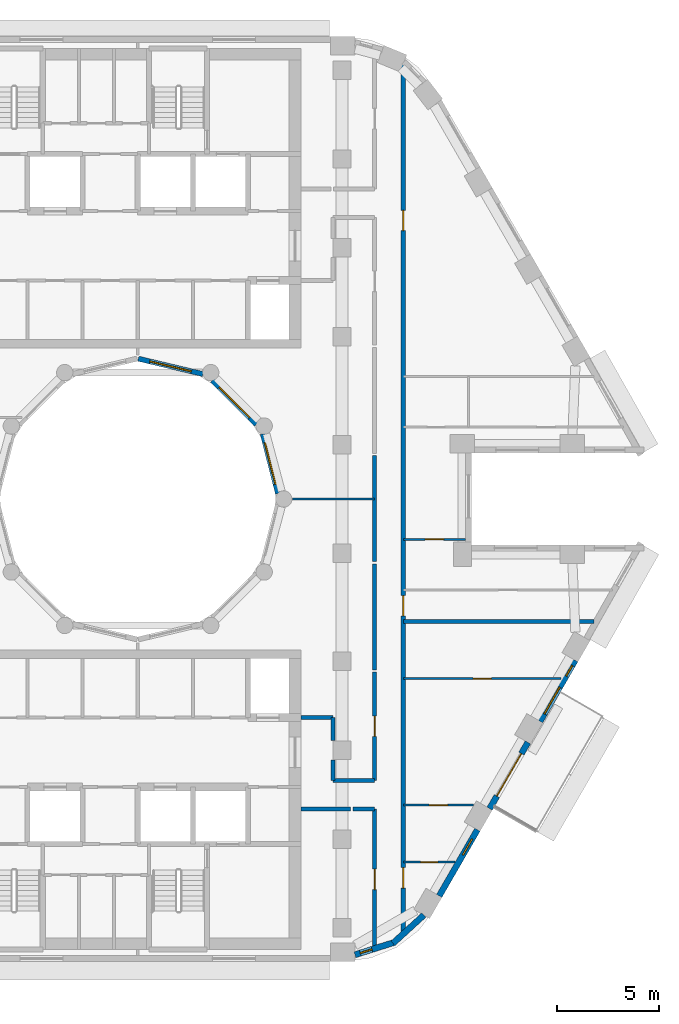
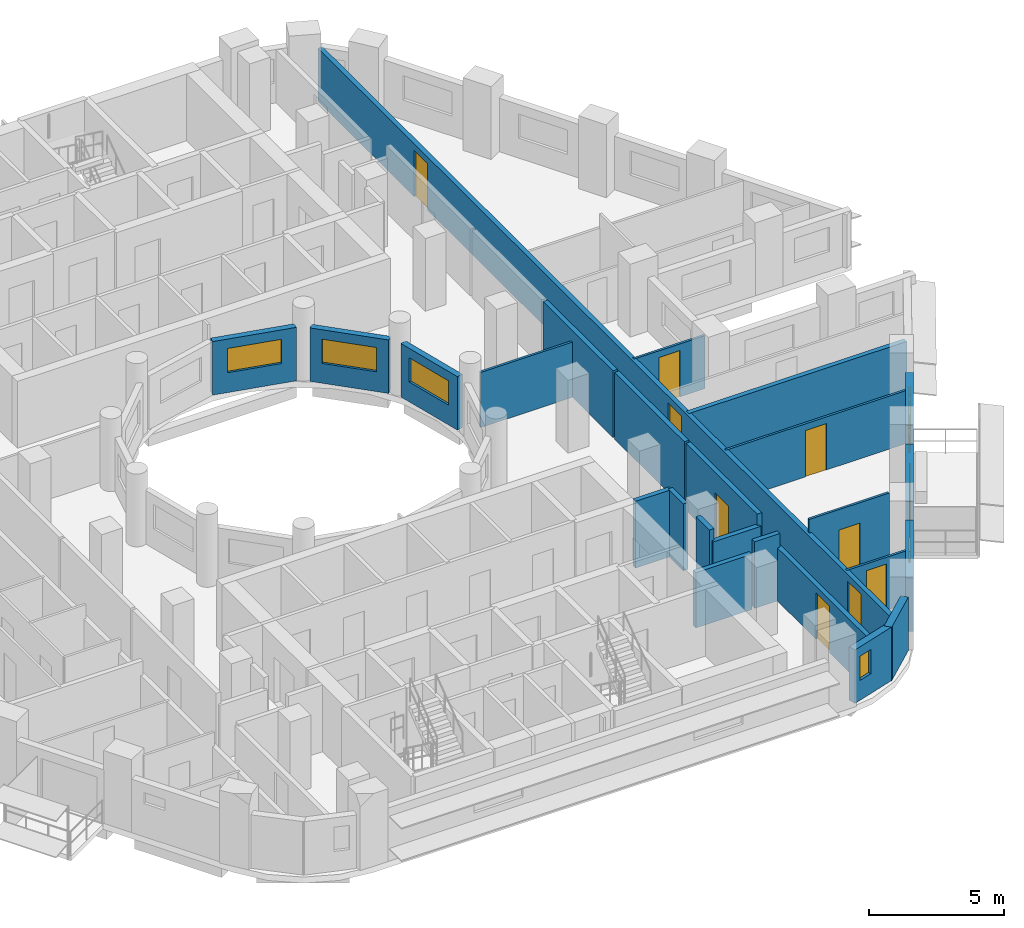
# One storey, part 6 of 17: 25 walls, 10 doors, 7 windows, 17 openings.
"""IFC4 building model written with IfcOpenShell, lengths in metres."""

import ifcopenshell
import ifcopenshell.guid

model = None  # the IFC model being written
_history = None  # IfcOwnerHistory: only IFC2X3 demands one
_inside = {}  # id of a spatial element -> (the spatial element, [elements in it])
_under = {}  # id of a project, library or spatial element -> (it, [spatial elements below it])
_declared = {}  # id of a project -> (the project, [libraries it declares])
_typed = {}  # id of a type object -> (the type object, [elements of that type])
_made_of = {}  # id of a material, layer set ... -> (it, [elements and type objects made of it])


def new_model(schema):
    """Start an empty IFC model of exactly this schema.

    Asked for "IFC4X3", IfcOpenShell would pick the latest addendum, in which some entities
    have other attributes; the version numbers below select the first issue.
    IFC2X3 requires an IfcOwnerHistory on every rooted entity: one is made here for all.
    """
    global model, _history
    if schema == "IFC4X3":
        model = ifcopenshell.file(schema_version=(4, 3, 0, 0))
    else:
        model = ifcopenshell.file(schema=schema)
    _inside.clear()
    _under.clear()
    _declared.clear()
    _typed.clear()
    _made_of.clear()
    _history = None
    if model.schema == "IFC2X3":
        org = make("IfcOrganization", Name="unknown")
        user = make(
            "IfcPersonAndOrganization",
            ThePerson=make("IfcPerson", FamilyName="unknown"),
            TheOrganization=org,
        )
        app = make(
            "IfcApplication",
            ApplicationDeveloper=org,
            Version="unknown",
            ApplicationFullName="unknown",
            ApplicationIdentifier="unknown",
        )
        _history = make(
            "IfcOwnerHistory",
            OwningUser=user,
            OwningApplication=app,
            ChangeAction="ADDED",
            CreationDate=0,
        )
    return model


def make(cls, **values):
    """One entity of the class cls with the attributes given. An attribute that is None is left unset."""
    return model.create_entity(
        cls, **{name: value for name, value in values.items() if value is not None}
    )


def rooted(cls, **values):
    """An entity with a GlobalId (a new one), such as an element, a storey or a relation."""
    return make(cls, GlobalId=ifcopenshell.guid.new(), OwnerHistory=_history, **values)


def si_unit(unit_type, name, prefix=None):
    """IfcSIUnit, for example si_unit("LENGTHUNIT", "METRE", prefix="MILLI")."""
    return make("IfcSIUnit", UnitType=unit_type, Prefix=prefix, Name=name)


def assignment(units):
    """IfcUnitAssignment: the units of a project."""
    return None if units is None else make("IfcUnitAssignment", Units=units)


def point(xyz):
    """IfcCartesianPoint."""
    return None if xyz is None else make("IfcCartesianPoint", Coordinates=xyz)


def direction(xyz):
    """IfcDirection."""
    return None if xyz is None else make("IfcDirection", DirectionRatios=xyz)


def frame(location, z_axis=None, x_axis=None):
    """IfcAxis2Placement3D, a coordinate frame: its origin and axes. An axis left out is left unset."""
    return make(
        "IfcAxis2Placement3D",
        Location=point(location),
        Axis=direction(z_axis),
        RefDirection=direction(x_axis),
    )


def frame_2d(location, x_axis=None):
    """IfcAxis2Placement2D, a coordinate frame in the plane: its origin and x axis."""
    return make(
        "IfcAxis2Placement2D", Location=point(location), RefDirection=direction(x_axis)
    )


def origin():
    """The frame at (0, 0, 0) with its axes left unset."""
    return frame((0.0, 0.0, 0.0))


def place(relative_to, where):
    """IfcLocalPlacement: puts the frame where relative to a parent placement (None: the world)."""
    return make(
        "IfcLocalPlacement", PlacementRelTo=relative_to, RelativePlacement=where
    )


def context(
    kind, dimensions, precision=None, world=None, true_north=None, identifier=None
):
    """IfcGeometricRepresentationContext, for example the 3D "Model" context."""
    return make(
        "IfcGeometricRepresentationContext",
        ContextIdentifier=identifier,
        ContextType=kind,
        CoordinateSpaceDimension=dimensions,
        Precision=precision,
        WorldCoordinateSystem=world,
        TrueNorth=true_north,
    )


def subcontext(parent, identifier, kind, view, scale=None):
    """IfcGeometricRepresentationSubContext, for example "Body" below "Model"."""
    return make(
        "IfcGeometricRepresentationSubContext",
        ContextIdentifier=identifier,
        ContextType=kind,
        ParentContext=parent,
        TargetScale=scale,
        TargetView=view,
    )


def project(units=None, contexts=None):
    """IfcProject with its units and contexts."""
    return rooted(
        "IfcProject",
        Name="project",
        RepresentationContexts=contexts,
        UnitsInContext=assignment(units),
    )


def spatial(cls, under=None, at=None, **own):
    """A site, building, storey or space (cls), placed at a placement, below another one or the project."""
    s = rooted(cls, ObjectPlacement=at, **own)
    if under is not None:
        _under.setdefault(under.id(), (under, []))[1].append(s)
    return s


def profile(cls, at=None, kind="AREA", **sizes):
    """A parametric profile (cls). Its sizes go by their IFC names, for example OverallWidth=200.0."""
    return make(cls, ProfileType=kind, Position=at, **sizes)


def rectangle(**sizes):
    """IfcRectangleProfileDef."""
    return profile("IfcRectangleProfileDef", **sizes)


def extrude(swept, where, along, depth):
    """IfcExtrudedAreaSolid: the profile swept, set in the frame where, extruded along a direction by depth."""
    return make(
        "IfcExtrudedAreaSolid",
        SweptArea=swept,
        Position=where,
        ExtrudedDirection=direction(along),
        Depth=depth,
    )


def shape(context_of_items, identifier, shape_type, items):
    """IfcShapeRepresentation: the items that make up one representation, for example the "Body"."""
    return make(
        "IfcShapeRepresentation",
        ContextOfItems=context_of_items,
        RepresentationIdentifier=identifier,
        RepresentationType=shape_type,
        Items=items,
    )


def material(Name=None, Category=None):
    """IfcMaterial."""
    return make("IfcMaterial", Name=Name, Category=Category)


def layer(
    of_material, thickness, ventilated=None, Name=None, Category=None, Priority=None
):
    """IfcMaterialLayer: one layer of a wall or slab, of a material (None: an air gap)."""
    return make(
        "IfcMaterialLayer",
        Material=of_material,
        LayerThickness=thickness,
        IsVentilated=ventilated,
        Name=Name,
        Category=Category,
        Priority=Priority,
    )


def layer_set(layers, Name=None):
    """IfcMaterialLayerSet."""
    return make("IfcMaterialLayerSet", MaterialLayers=layers, LayerSetName=Name)


def made_of(thing, what):
    """Note that an element or type object is made of a material, layer set ...; save() writes the relation."""
    if what is not None:
        _made_of.setdefault(what.id(), (what, []))[1].append(thing)
    return thing


def type_object(cls, material=None, **own):
    """A type object (cls), such as IfcWallType, which elements share."""
    return made_of(rooted(cls, **own), material)


def element(
    cls,
    number,
    at=None,
    inside=None,
    cuts=None,
    type_object=None,
    material=None,
    context=None,
    identifier="Body",
    shape_type=None,
    held_by="IfcProductDefinitionShape",
    body=None,
    shapes=None,
    **own,
):
    """One element of the class cls, such as IfcWall. Its Tag is "e" and its number.

    at: its placement. inside: the storey or other place that contains it. cuts: it is an
    opening in that element (IfcRelVoidsElement). A single representation is given by context,
    identifier, shape_type and body (its items); several are given by shapes. held_by: the class
    of the entity that holds the representations. save() writes the other relations.
    """
    e = rooted(cls, Tag="e%d" % number, ObjectPlacement=at, **own)
    if body is not None:
        shapes = [shape(context, identifier, shape_type, body)]
    if shapes is not None:
        e.Representation = make(held_by, Representations=shapes)
    if inside is not None:
        _inside.setdefault(inside.id(), (inside, []))[1].append(e)
    if cuts is not None:
        rooted(
            "IfcRelVoidsElement", RelatingBuildingElement=cuts, RelatedOpeningElement=e
        )
    if type_object is not None:
        _typed.setdefault(type_object.id(), (type_object, []))[1].append(e)
    return made_of(e, material)


def fill(opening, filler):
    """IfcRelFillsElement: the door or window that sits in an opening."""
    return rooted(
        "IfcRelFillsElement",
        RelatingOpeningElement=opening,
        RelatedBuildingElement=filler,
    )


def aggregate(whole, parts):
    """IfcRelAggregates: a whole, such as a stair, and the parts it consists of."""
    return rooted("IfcRelAggregates", RelatingObject=whole, RelatedObjects=parts)


def save(model, path):
    """Write the relations noted so far, then the file.

    IfcRelAggregates (storeys below a building ...), IfcRelContainedInSpatialStructure (elements
    in a storey), IfcRelDefinesByType, IfcRelAssociatesMaterial and IfcRelDeclares: one each for
    every whole, place, type object, material and project.
    """
    for whole, parts in _under.values():
        aggregate(whole, parts)
    for where, things in _inside.values():
        rooted(
            "IfcRelContainedInSpatialStructure",
            RelatedElements=things,
            RelatingStructure=where,
        )
    for kind, things in _typed.values():
        rooted("IfcRelDefinesByType", RelatedObjects=things, RelatingType=kind)
    for what, things in _made_of.values():
        rooted("IfcRelAssociatesMaterial", RelatedObjects=things, RelatingMaterial=what)
    for by, libraries in _declared.values():
        rooted("IfcRelDeclares", RelatingContext=by, RelatedDefinitions=libraries)
    model.write(path)


model = new_model("IFC4")

# Units and contexts
model_context = context("Model", 3, precision=1e-05, world=origin(), true_north=direction((0.0, 1.0)))
body_context = subcontext(model_context, "Body", "Model", "MODEL_VIEW")
ifc_project = project(units=[si_unit("LENGTHUNIT", "METRE"), si_unit("AREAUNIT", "SQUARE_METRE"), si_unit("VOLUMEUNIT", "CUBIC_METRE"), si_unit("PLANEANGLEUNIT", "RADIAN"), si_unit("MASSUNIT", "GRAM", prefix="KILO")], contexts=[model_context])

# Site, building, storey
site_placement = place(None, origin())
site = spatial("IfcSite", under=ifc_project, at=site_placement, CompositionType="ELEMENT")
building_placement = place(site_placement, origin())
building = spatial("IfcBuilding", under=site, at=building_placement, Name="Nakaniwa Court", CompositionType="ELEMENT")
storey_placement = place(building_placement, frame((0.0, 0.0, 203.10009765625)))
storey = spatial("IfcBuildingStorey", under=building, at=storey_placement, Name="L53", CompositionType="ELEMENT", Elevation=203.10009765625)

# Wall, opening, door
ifc_material_1 = material(Name="Acoustic double stud partition")
ifc_layer_1 = layer(ifc_material_1, 0.199951171875)
ifc_layer_set_1 = layer_set([ifc_layer_1], Name="Acoustic double stud partition")
wall_type_1 = type_object("IfcWallType", Name="Acoustic double stud partition 200", PredefinedType="PARTITIONING", material=ifc_layer_set_1)
wall_1_placement = place(storey_placement, frame((91.60009765625, 57.92626953125, 0.0), z_axis=(0.0, 0.0, 1.0), x_axis=(0.0, 1.0, 0.0)))
wall_1 = element("IfcWall", 1, at=wall_1_placement, inside=storey, type_object=wall_type_1, Name="Partition PW-073", PredefinedType="PARTITIONING", context=body_context, shape_type="SweptSolid", body=[
    extrude(rectangle(XDim=6.898681640625, YDim=0.199951171875, at=frame_2d((3.44921875, 0.0))), origin(), (0.0, 0.0, 1.0), 2.40478515625),
])
opening_1_placement = place(wall_1_placement, frame((2.948974609375, 0.0, 0.0)))
opening_1 = element("IfcOpeningElement", 2, at=opening_1_placement, cuts=wall_1, Name="Opening D-02-01", PredefinedType="OPENING", context=body_context, shape_type="SweptSolid", body=[
    extrude(rectangle(XDim=1.0, YDim=2.10009765625, at=frame_2d((0.5, 1.050048828125))), frame((0.0, 0.10986328125, 0.0), z_axis=(0.0, -1.0, 0.0), x_axis=(1.0, 0.0, 0.0)), (0.0, 0.0, 1.0), 0.219970703125),
])
ifc_material_2 = material(Name="Solid core timber door set, black veneer", Category="wood")
door_type_1 = type_object("IfcDoorType", Name="Internal door 1000", OperationType="NOTDEFINED", PredefinedType="DOOR", material=ifc_material_2)
door_1_placement = place(opening_1_placement, origin())
door_1 = element("IfcDoor", 3, at=door_1_placement, inside=storey, type_object=door_type_1, Name="Door D-02-01 L53-029", OperationType="SINGLE_SWING_RIGHT", OverallHeight=2.10009765625, OverallWidth=1.0, PredefinedType="DOOR", context=body_context, shape_type="SweptSolid", body=[
    extrude(rectangle(XDim=1.0, YDim=2.10009765625, at=frame_2d((0.5, 1.050048828125))), frame((0.0, 0.02490234375, 0.0), z_axis=(0.0, -1.0, 0.0), x_axis=(1.0, 0.0, 0.0)), (0.0, 0.0, 1.0), 0.050048828125),
])
fill(opening_1, door_1)

wall_2_placement = place(storey_placement, frame((91.60009765625, 66.22509765625, 0.0), z_axis=(0.0, 0.0, 1.0), x_axis=(0.0, 1.0, 0.0)))
wall_2 = element("IfcWall", 4, at=wall_2_placement, inside=storey, type_object=wall_type_1, Name="Partition PW-074", PredefinedType="PARTITIONING", context=body_context, shape_type="SweptSolid", body=[
    extrude(rectangle(XDim=5.297607421875, YDim=0.199951171875, at=frame_2d((2.64892578125, 0.0))), origin(), (0.0, 0.0, 1.0), 3.02490234375),
])
opening_2_placement = place(wall_2_placement, frame((2.14794921875, 0.0, 0.0)))
opening_2 = element("IfcOpeningElement", 5, at=opening_2_placement, cuts=wall_2, Name="Opening D-02-02", PredefinedType="OPENING", context=body_context, shape_type="SweptSolid", body=[
    extrude(rectangle(XDim=1.0, YDim=2.10009765625, at=frame_2d((0.5, 1.050048828125))), frame((0.0, 0.10986328125, 0.0), z_axis=(0.0, -1.0, 0.0), x_axis=(1.0, 0.0, 0.0)), (0.0, 0.0, 1.0), 0.219970703125),
])
door_2_placement = place(opening_2_placement, origin())
door_2 = element("IfcDoor", 6, at=door_2_placement, inside=storey, type_object=door_type_1, Name="Door D-02-02 L53-034", OperationType="SINGLE_SWING_LEFT", OverallHeight=2.10009765625, OverallWidth=1.0, PredefinedType="DOOR", context=body_context, shape_type="SweptSolid", body=[
    extrude(rectangle(XDim=1.0, YDim=2.10009765625, at=frame_2d((0.5, 1.050048828125))), frame((0.0, 0.02490234375, 0.0), z_axis=(0.0, -1.0, 0.0), x_axis=(1.0, 0.0, 0.0)), (0.0, 0.0, 1.0), 0.050048828125),
])
fill(opening_2, door_2)

# Walls
for number, where, z_axis, x_axis, name in (
    (7, (91.60009765625, 71.63720703125, 0.0), (0.0, 0.0, 1.0), (0.0, 1.0, 0.0), "Partition PW-075"),
    (8, (91.60009765625, 76.937255859375, 0.0), (0.0, 0.0, 1.0), (0.0, 1.0, 0.0), "Partition PW-076"),
):
    element("IfcWall", number, at=place(storey_placement, frame(where, z_axis=z_axis, x_axis=x_axis)), inside=storey, type_object=wall_type_1, Name=name, PredefinedType="PARTITIONING", context=body_context, shape_type="SweptSolid", body=[
        extrude(rectangle(XDim=5.185546875, YDim=0.199951171875, at=frame_2d((2.5927734375, 0.0))), origin(), (0.0, 0.0, 1.0), 3.02490234375),
    ])
wall_3_placement = place(storey_placement, frame((88.0, 64.824951171875, 0.0), z_axis=(0.0, 0.0, 1.0), x_axis=(1.0, 0.0, 0.0)))
element("IfcWall", 9, at=wall_3_placement, inside=storey, type_object=wall_type_1, Name="Partition PW-082", PredefinedType="PARTITIONING", context=body_context, shape_type="SweptSolid", body=[
    extrude(rectangle(XDim=2.412841796875, YDim=0.199951171875, at=frame_2d((1.20654296875, 0.0))), origin(), (0.0, 0.0, 1.0), 2.5048828125),
])
wall_4_placement = place(storey_placement, frame((90.527099609375, 64.824951171875, 0.0), z_axis=(0.0, 0.0, 1.0), x_axis=(1.0, 0.0, 0.0)))
element("IfcWall", 10, at=wall_4_placement, inside=storey, type_object=wall_type_1, Name="Partition PW-083", PredefinedType="PARTITIONING", context=body_context, shape_type="SweptSolid", body=[
    extrude(rectangle(XDim=1.072998046875, YDim=0.199951171875, at=frame_2d((0.53662109375, 0.0))), origin(), (0.0, 0.0, 1.0), 3.02490234375),
])

# Wall, openings, doors
wall_5_placement = place(storey_placement, frame((93.0, 101.28076171875, 0.0), z_axis=(0.0, 0.0, 1.0), x_axis=(0.0, -1.0, 0.0)))
wall_5 = element("IfcWall", 11, at=wall_5_placement, inside=storey, type_object=wall_type_1, Name="Partition PW-084", PredefinedType="PARTITIONING", context=body_context, shape_type="SweptSolid", body=[
    extrude(rectangle(XDim=42.6064453125, YDim=0.199951171875, at=frame_2d((21.30322265625, 0.0))), origin(), (0.0, 0.0, 1.0), 2.40478515625),
])
opening_3_placement = place(wall_5_placement, frame((39.330078125, 0.0, 0.0)))
opening_3 = element("IfcOpeningElement", 12, at=opening_3_placement, cuts=wall_5, Name="Opening D-01-01", PredefinedType="OPENING", context=body_context, shape_type="SweptSolid", body=[
    extrude(rectangle(XDim=1.0, YDim=2.10009765625, at=frame_2d((0.5, 1.050048828125))), frame((0.0, 0.10986328125, 0.0), z_axis=(0.0, -1.0, 0.0), x_axis=(1.0, 0.0, 0.0)), (0.0, 0.0, 1.0), 0.219970703125),
])
opening_4_placement = place(wall_5_placement, frame((26.0048828125, 0.0, 0.0)))
opening_4 = element("IfcOpeningElement", 13, at=opening_4_placement, cuts=wall_5, Name="Opening D-01-02", PredefinedType="OPENING", context=body_context, shape_type="SweptSolid", body=[
    extrude(rectangle(XDim=1.0, YDim=2.10009765625, at=frame_2d((0.5, 1.050048828125))), frame((0.0, 0.10986328125, 0.0), z_axis=(0.0, -1.0, 0.0), x_axis=(1.0, 0.0, 0.0)), (0.0, 0.0, 1.0), 0.219970703125),
])
opening_5_placement = place(wall_5_placement, frame((7.14306640625, 0.0, 0.0)))
opening_5 = element("IfcOpeningElement", 14, at=opening_5_placement, cuts=wall_5, Name="Opening D-02-03", PredefinedType="OPENING", context=body_context, shape_type="SweptSolid", body=[
    extrude(rectangle(XDim=1.0, YDim=2.10009765625, at=frame_2d((0.5, 1.050048828125))), frame((0.0, 0.10986328125, 0.0), z_axis=(0.0, -1.0, 0.0), x_axis=(1.0, 0.0, 0.0)), (0.0, 0.0, 1.0), 0.219970703125),
])
door_type_2 = type_object("IfcDoorType", Name="Flat entrance door 1000", OperationType="NOTDEFINED", PredefinedType="DOOR", material=ifc_material_2)
door_3_placement = place(opening_3_placement, origin())
door_3 = element("IfcDoor", 15, at=door_3_placement, inside=storey, type_object=door_type_2, Name="Door D-01-01 L53-030", OperationType="SINGLE_SWING_LEFT", OverallHeight=2.10009765625, OverallWidth=1.0, PredefinedType="DOOR", context=body_context, shape_type="SweptSolid", body=[
    extrude(rectangle(XDim=1.0, YDim=2.10009765625, at=frame_2d((0.5, 1.050048828125))), frame((0.0, 0.02490234375, 0.0), z_axis=(0.0, -1.0, 0.0), x_axis=(1.0, 0.0, 0.0)), (0.0, 0.0, 1.0), 0.050048828125),
])
fill(opening_3, door_3)
door_4_placement = place(opening_4_placement, origin())
door_4 = element("IfcDoor", 16, at=door_4_placement, inside=storey, type_object=door_type_2, Name="Door D-01-02 L53-035", OperationType="SINGLE_SWING_RIGHT", OverallHeight=2.10009765625, OverallWidth=1.0, PredefinedType="DOOR", context=body_context, shape_type="SweptSolid", body=[
    extrude(rectangle(XDim=1.0, YDim=2.10009765625, at=frame_2d((0.5, 1.050048828125))), frame((0.0, 0.02490234375, 0.0), z_axis=(0.0, -1.0, 0.0), x_axis=(1.0, 0.0, 0.0)), (0.0, 0.0, 1.0), 0.050048828125),
])
fill(opening_4, door_4)
door_5_placement = place(opening_5_placement, origin())
door_5 = element("IfcDoor", 17, at=door_5_placement, inside=storey, type_object=door_type_1, Name="Door D-02-03 L53-040", OperationType="SINGLE_SWING_LEFT", OverallHeight=2.10009765625, OverallWidth=1.0, PredefinedType="DOOR", context=body_context, shape_type="SweptSolid", body=[
    extrude(rectangle(XDim=1.0, YDim=2.10009765625, at=frame_2d((0.5, 1.050048828125))), frame((0.0, 0.02490234375, 0.0), z_axis=(0.0, -1.0, 0.0), x_axis=(1.0, 0.0, 0.0)), (0.0, 0.0, 1.0), 0.050048828125),
])
fill(opening_5, door_5)

# Walls
wall_6_placement = place(storey_placement, frame((88.0, 69.300048828125, 0.0), z_axis=(0.0, 0.0, 1.0), x_axis=(1.0, 0.0, 0.0)))
element("IfcWall", 18, at=wall_6_placement, inside=storey, type_object=wall_type_1, Name="Partition PW-086", PredefinedType="PARTITIONING", context=body_context, shape_type="SweptSolid", body=[
    extrude(rectangle(XDim=1.550048828125, YDim=0.199951171875, at=frame_2d((0.77490234375, 0.0))), origin(), (0.0, 0.0, 1.0), 3.02490234375),
])
wall_7_placement = place(storey_placement, frame((89.550048828125, 66.22509765625, 0.0), z_axis=(0.0, 0.0, 1.0), x_axis=(0.0, 1.0, 0.0)))
element("IfcWall", 19, at=wall_7_placement, inside=storey, type_object=wall_type_1, Name="Partition PW-087", PredefinedType="PARTITIONING", context=body_context, shape_type="SweptSolid", body=[
    extrude(rectangle(XDim=1.0078125, YDim=0.199951171875, at=frame_2d((0.50390625, 0.0))), origin(), (0.0, 0.0, 1.0), 3.02490234375),
])
wall_8_placement = place(storey_placement, frame((89.550048828125, 68.167236328125, 0.0), z_axis=(0.0, 0.0, 1.0), x_axis=(0.0, 1.0, 0.0)))
element("IfcWall", 20, at=wall_8_placement, inside=storey, type_object=wall_type_1, Name="Partition PW-088", PredefinedType="PARTITIONING", context=body_context, shape_type="SweptSolid", body=[
    extrude(rectangle(XDim=1.1328125, YDim=0.199951171875, at=frame_2d((0.56640625, 0.0))), origin(), (0.0, 0.0, 1.0), 3.02490234375),
])
wall_9_placement = place(storey_placement, frame((89.550048828125, 66.22509765625, 0.0), z_axis=(0.0, 0.0, 1.0), x_axis=(1.0, 0.0, 0.0)))
element("IfcWall", 21, at=wall_9_placement, inside=storey, type_object=wall_type_1, Name="Partition PW-092", PredefinedType="PARTITIONING", context=body_context, shape_type="SweptSolid", body=[
    extrude(rectangle(XDim=2.050048828125, YDim=0.199951171875, at=frame_2d((1.02490234375, 0.0))), origin(), (0.0, 0.0, 1.0), 2.5048828125),
])
wall_10_placement = place(storey_placement, frame((93.0009765625, 74.0, 0.0), z_axis=(0.0, 0.0, 1.0), x_axis=(1.0, 0.0, 0.0)))
element("IfcWall", 22, at=wall_10_placement, inside=storey, type_object=wall_type_1, Name="Partition PW-120", PredefinedType="PARTITIONING", context=body_context, shape_type="SweptSolid", body=[
    extrude(rectangle(XDim=9.342529296875, YDim=0.199951171875, at=frame_2d((4.67138671875, 0.0))), origin(), (0.0, 0.0, 1.0), 2.40478515625),
])

# Wall, opening, window
ifc_material_3 = material(Name="Charcoal ceramic cladding")
ifc_layer_2 = layer(ifc_material_3, 0.02, Name="Ceramic cladding")
ifc_material_4 = material(Name="Ventilated air cavity")
ifc_layer_3 = layer(ifc_material_4, 0.04, ventilated=True, Name="Ventilated cavity")
ifc_material_5 = material(Name="Mineral wool insulation")
ifc_layer_4 = layer(ifc_material_5, 0.1, Name="Insulation")
ifc_material_6 = material(Name="Cement bonded sheathing board")
ifc_layer_5 = layer(ifc_material_6, 0.012, Name="Sheathing")
ifc_material_7 = material(Name="Cold-formed galvanised stud frame with mineral wool infill")
ifc_layer_6 = layer(ifc_material_7, 0.1, Name="Stud frame")
ifc_material_8 = material(Name="Fire-rated gypsum plasterboard lining")
ifc_layer_7 = layer(ifc_material_8, 0.028, Name="Lining")
ifc_layer_set_2 = layer_set([ifc_layer_2, ifc_layer_3, ifc_layer_4, ifc_layer_5, ifc_layer_6, ifc_layer_7], Name="Charcoal ceramic faced external wall system")
wall_type_2 = type_object("IfcWallType", Name="Black ceramic faced external wall 300", PredefinedType="SOLIDWALL", material=ifc_layer_set_2)
wall_11_placement = place(storey_placement, frame((90.6357421875, 57.684814453125, 0.0), z_axis=(0.0, 0.0, 1.0), x_axis=(0.95368324118, 0.300812691707, 0.0)))
wall_11 = element("IfcWall", 23, at=wall_11_placement, inside=storey, type_object=wall_type_2, Name="L53 external wall 27", PredefinedType="SOLIDWALL", context=body_context, shape_type="SweptSolid", body=[
    extrude(rectangle(XDim=2.053466796875, YDim=0.300048828125, at=frame_2d((1.02685546875, 0.0))), origin(), (0.0, 0.0, 1.0), 2.4248046875),
])
opening_6_placement = place(wall_11_placement, frame((0.271240234375, 0.0, 0.89990234375)))
opening_6 = element("IfcOpeningElement", 24, at=opening_6_placement, cuts=wall_11, Name="Opening W8.28", PredefinedType="OPENING", context=body_context, shape_type="SweptSolid", body=[
    extrude(rectangle(XDim=0.60009765625, YDim=1.10009765625, at=frame_2d((0.300048828125, 0.550048828125))), frame((0.0, 0.159912109375, 0.0), z_axis=(0.0, -1.0, 0.0), x_axis=(1.0, 0.0, 0.0)), (0.0, 0.0, 1.0), 0.320068359375),
])
ifc_material_9 = material(Name="Black anodised aluminium frame with dark low-E laminated double glazing", Category="aluminium")
window_type_1 = type_object("IfcWindowType", Name="Dark glass window 600x1100 sill 900", PartitioningType="SINGLE_PANEL", PredefinedType="WINDOW", material=ifc_material_9)
window_1_placement = place(opening_6_placement, origin())
window_1 = element("IfcWindow", 25, at=window_1_placement, inside=storey, type_object=window_type_1, Name="L53 habitable room window 27-0", OverallHeight=1.10009765625, OverallWidth=0.60009765625, PartitioningType="SINGLE_PANEL", PredefinedType="WINDOW", context=body_context, shape_type="SweptSolid", body=[
    extrude(rectangle(XDim=0.60009765625, YDim=1.10009765625, at=frame_2d((0.300048828125, 0.550048828125))), frame((0.0, 0.030029296875, 0.0), z_axis=(0.0, -1.0, 0.0), x_axis=(1.0, 0.0, 0.0)), (0.0, 0.0, 1.0), 0.06005859375),
])
fill(opening_6, window_1)

# Wall
wall_12_placement = place(storey_placement, frame((92.494140625, 58.243896484375, 0.0), z_axis=(0.0, 0.0, 1.0), x_axis=(0.73764876128, 0.675184645102, 0.0)))
element("IfcWall", 26, at=wall_12_placement, inside=storey, type_object=wall_type_2, Name="L53 external wall 28", PredefinedType="SOLIDWALL", context=body_context, shape_type="SweptSolid", body=[
    extrude(rectangle(XDim=2.048095703125, YDim=0.300048828125, at=frame_2d((1.02392578125, 0.0))), origin(), (0.0, 0.0, 1.0), 2.4248046875),
])

# Wall, opening, window
wall_13_placement = place(storey_placement, frame((94.760986328125, 60.566650390625, 0.0), z_axis=(0.0, 0.0, 1.0), x_axis=(0.499982088007, 0.866035745032, 0.0)))
wall_13 = element("IfcWall", 27, at=wall_13_placement, inside=storey, type_object=wall_type_2, Name="L53 external wall 29", PredefinedType="SOLIDWALL", context=body_context, shape_type="SweptSolid", body=[
    extrude(rectangle(XDim=3.744384765625, YDim=0.300048828125, at=frame_2d((1.8720703125, 0.0))), origin(), (0.0, 0.0, 1.0), 2.4248046875),
])
opening_7_placement = place(wall_13_placement, frame((2.318603515625, 0.0, 1.5)))
opening_7 = element("IfcOpeningElement", 28, at=opening_7_placement, cuts=wall_13, Name="Opening W10.29", PredefinedType="OPENING", context=body_context, shape_type="SweptSolid", body=[
    extrude(rectangle(XDim=0.89990234375, YDim=0.5, at=frame_2d((0.449951171875, 0.25))), frame((0.0, 0.159912109375, 0.0), z_axis=(0.0, -1.0, 0.0), x_axis=(1.0, 0.0, 0.0)), (0.0, 0.0, 1.0), 0.320068359375),
])
window_type_2 = type_object("IfcWindowType", Name="Dark glass window 900x500 sill 1500", PartitioningType="SINGLE_PANEL", PredefinedType="WINDOW", material=ifc_material_9)
window_2_placement = place(opening_7_placement, origin())
window_2 = element("IfcWindow", 29, at=window_2_placement, inside=storey, type_object=window_type_2, Name="L53 bathroom window 29-1", OverallHeight=0.5, OverallWidth=0.89990234375, PartitioningType="SINGLE_PANEL", PredefinedType="WINDOW", context=body_context, shape_type="SweptSolid", body=[
    extrude(rectangle(XDim=0.89990234375, YDim=0.5, at=frame_2d((0.449951171875, 0.25))), frame((0.0, 0.030029296875, 0.0), z_axis=(0.0, -1.0, 0.0), x_axis=(1.0, 0.0, 0.0)), (0.0, 0.0, 1.0), 0.06005859375),
])
fill(opening_7, window_2)

# Wall, opening, door
wall_14_placement = place(storey_placement, frame((97.22900390625, 64.841552734375, 0.0), z_axis=(0.0, 0.0, 1.0), x_axis=(0.500059225181, 0.86599120741, 0.0)))
wall_14 = element("IfcWall", 30, at=wall_14_placement, inside=storey, type_object=wall_type_2, Name="L53 external wall 30", PredefinedType="SOLIDWALL", context=body_context, shape_type="SweptSolid", body=[
    extrude(rectangle(XDim=3.744140625, YDim=0.300048828125, at=frame_2d((1.8720703125, 0.0))), origin(), (0.0, 0.0, 1.0), 2.4248046875),
])
opening_8_placement = place(wall_14_placement, frame((0.710693359375, 0.0, 0.0)))
opening_8 = element("IfcOpeningElement", 31, at=opening_8_placement, cuts=wall_14, Name="Opening XD13.03", PredefinedType="OPENING", context=body_context, shape_type="SweptSolid", body=[
    extrude(rectangle(XDim=2.39990234375, YDim=2.0, at=frame_2d((1.199951171875, 1.0))), frame((0.0, 0.159912109375, 0.0), z_axis=(0.0, -1.0, 0.0), x_axis=(1.0, 0.0, 0.0)), (0.0, 0.0, 1.0), 0.320068359375),
])
ifc_material_10 = material(Name="Black powder-coated aluminium frame with dark laminated glass", Category="aluminium")
door_type_3 = type_object("IfcDoorType", Name="Balcony sliding door 2400x2000", OperationType="DOUBLE_DOOR_SLIDING", PredefinedType="DOOR", material=ifc_material_10)
door_6_placement = place(opening_8_placement, origin())
door_6 = element("IfcDoor", 32, at=door_6_placement, inside=storey, type_object=door_type_3, Name="L53 balcony sliding door 03", OperationType="DOUBLE_DOOR_SLIDING", OverallHeight=2.0, OverallWidth=2.39990234375, PredefinedType="DOOR", context=body_context, shape_type="SweptSolid", body=[
    extrude(rectangle(XDim=2.39990234375, YDim=2.0, at=frame_2d((1.199951171875, 1.0))), frame((0.0, 0.02490234375, 0.0), z_axis=(0.0, -1.0, 0.0), x_axis=(1.0, 0.0, 0.0)), (0.0, 0.0, 1.0), 0.050048828125),
])
fill(opening_8, door_6)

# Wall, openings, windows
wall_15_placement = place(storey_placement, frame((99.697265625, 69.116455078125, 0.0), z_axis=(0.0, 0.0, 1.0), x_axis=(0.499955427682, 0.866051136095, 0.0)))
wall_15 = element("IfcWall", 33, at=wall_15_placement, inside=storey, type_object=wall_type_2, Name="L53 external wall 31", PredefinedType="SOLIDWALL", context=body_context, shape_type="SweptSolid", body=[
    extrude(rectangle(XDim=3.447021484375, YDim=0.300048828125, at=frame_2d((1.7236328125, 0.0))), origin(), (0.0, 0.0, 1.0), 2.4248046875),
])
opening_9_placement = place(wall_15_placement, frame((0.42236328125, 0.0, 0.89990234375)))
opening_9 = element("IfcOpeningElement", 34, at=opening_9_placement, cuts=wall_15, Name="Opening W5.30", PredefinedType="OPENING", context=body_context, shape_type="SweptSolid", body=[
    extrude(rectangle(XDim=1.5, YDim=1.10009765625, at=frame_2d((0.75, 0.550048828125))), frame((0.0, 0.159912109375, 0.0), z_axis=(0.0, -1.0, 0.0), x_axis=(1.0, 0.0, 0.0)), (0.0, 0.0, 1.0), 0.320068359375),
])
opening_10_placement = place(wall_15_placement, frame((2.558837890625, 0.0, 0.89990234375)))
opening_10 = element("IfcOpeningElement", 35, at=opening_10_placement, cuts=wall_15, Name="Opening W8.31", PredefinedType="OPENING", context=body_context, shape_type="SweptSolid", body=[
    extrude(rectangle(XDim=0.60009765625, YDim=1.10009765625, at=frame_2d((0.300048828125, 0.550048828125))), frame((0.0, 0.159912109375, 0.0), z_axis=(0.0, -1.0, 0.0), x_axis=(1.0, 0.0, 0.0)), (0.0, 0.0, 1.0), 0.320068359375),
])
window_type_3 = type_object("IfcWindowType", Name="Dark glass window 1500x1100 sill 900", PartitioningType="SINGLE_PANEL", PredefinedType="WINDOW", material=ifc_material_9)
window_3_placement = place(opening_9_placement, origin())
window_3 = element("IfcWindow", 36, at=window_3_placement, inside=storey, type_object=window_type_3, Name="L53 living window 31-0", OverallHeight=1.10009765625, OverallWidth=1.5, PartitioningType="SINGLE_PANEL", PredefinedType="WINDOW", context=body_context, shape_type="SweptSolid", body=[
    extrude(rectangle(XDim=1.5, YDim=1.10009765625, at=frame_2d((0.75, 0.550048828125))), frame((0.0, 0.030029296875, 0.0), z_axis=(0.0, -1.0, 0.0), x_axis=(1.0, 0.0, 0.0)), (0.0, 0.0, 1.0), 0.06005859375),
])
fill(opening_9, window_3)
window_4_placement = place(opening_10_placement, origin())
window_4 = element("IfcWindow", 37, at=window_4_placement, inside=storey, type_object=window_type_1, Name="L53 habitable room window 31-1", OverallHeight=1.10009765625, OverallWidth=0.60009765625, PartitioningType="SINGLE_PANEL", PredefinedType="WINDOW", context=body_context, shape_type="SweptSolid", body=[
    extrude(rectangle(XDim=0.60009765625, YDim=1.10009765625, at=frame_2d((0.300048828125, 0.550048828125))), frame((0.0, 0.030029296875, 0.0), z_axis=(0.0, -1.0, 0.0), x_axis=(1.0, 0.0, 0.0)), (0.0, 0.0, 1.0), 0.06005859375),
])
fill(opening_10, window_4)

# Wall, opening, window
ifc_layer_8 = layer(ifc_material_3, 0.02, Name="Ceramic cladding")
ifc_layer_9 = layer(ifc_material_4, 0.04, ventilated=True, Name="Ventilated cavity")
ifc_layer_10 = layer(ifc_material_5, 0.075, Name="Insulation")
ifc_layer_11 = layer(ifc_material_6, 0.012, Name="Sheathing")
ifc_layer_12 = layer(ifc_material_7, 0.075, Name="Stud frame")
ifc_layer_13 = layer(ifc_material_8, 0.028, Name="Lining")
ifc_layer_set_3 = layer_set([ifc_layer_8, ifc_layer_9, ifc_layer_10, ifc_layer_11, ifc_layer_12, ifc_layer_13], Name="Charcoal ceramic faced external wall system")
wall_type_3 = type_object("IfcWallType", Name="Charcoal ceramic faced well wall 250", PredefinedType="SOLIDWALL", material=ifc_layer_set_3)
wall_16_placement = place(storey_placement, frame((80.029052734375, 86.87158203125, 0.0), z_axis=(0.0, 0.0, 1.0), x_axis=(0.972773113459, -0.231759508395, 0.0)))
wall_16 = element("IfcWall", 38, at=wall_16_placement, inside=storey, type_object=wall_type_3, Name="L53 external wall 45", PredefinedType="SOLIDWALL", context=body_context, shape_type="SweptSolid", body=[
    extrude(rectangle(XDim=3.24560546875, YDim=0.25, at=frame_2d((1.622802734375, 0.0))), origin(), (0.0, 0.0, 1.0), 2.4248046875),
])
opening_11_placement = place(wall_16_placement, frame((0.57275390625, 0.0, 0.89990234375)))
opening_11 = element("IfcOpeningElement", 39, at=opening_11_placement, cuts=wall_16, Name="Opening W7.45", PredefinedType="OPENING", context=body_context, shape_type="SweptSolid", body=[
    extrude(rectangle(XDim=2.10009765625, YDim=1.10009765625, at=frame_2d((1.050048828125, 0.550048828125))), frame((0.0, 0.135009765625, 0.0), z_axis=(0.0, -1.0, 0.0), x_axis=(1.0, 0.0, 0.0)), (0.0, 0.0, 1.0), 0.27001953125),
])
window_type_4 = type_object("IfcWindowType", Name="Dark glass window 2100x1100 sill 900", PartitioningType="SINGLE_PANEL", PredefinedType="WINDOW", material=ifc_material_9)
window_5_placement = place(opening_11_placement, origin())
window_5 = element("IfcWindow", 40, at=window_5_placement, inside=storey, type_object=window_type_4, Name="L53 habitable room window 45-0", OverallHeight=1.10009765625, OverallWidth=2.10009765625, PartitioningType="SINGLE_PANEL", PredefinedType="WINDOW", context=body_context, shape_type="SweptSolid", body=[
    extrude(rectangle(XDim=2.10009765625, YDim=1.10009765625, at=frame_2d((1.050048828125, 0.550048828125))), frame((0.0, 0.030029296875, 0.0), z_axis=(0.0, -1.0, 0.0), x_axis=(1.0, 0.0, 0.0)), (0.0, 0.0, 1.0), 0.06005859375),
])
fill(opening_11, window_5)

wall_17_placement = place(storey_placement, frame((83.660888671875, 85.8056640625, 0.0), z_axis=(0.0, 0.0, 1.0), x_axis=(0.707106781187, -0.707106781187, 0.0)))
wall_17 = element("IfcWall", 41, at=wall_17_placement, inside=storey, type_object=wall_type_3, Name="L53 external wall 46", PredefinedType="SOLIDWALL", context=body_context, shape_type="SweptSolid", body=[
    extrude(rectangle(XDim=3.033203125, YDim=0.25, at=frame_2d((1.5166015625, 0.0))), origin(), (0.0, 0.0, 1.0), 2.4248046875),
])
opening_12_placement = place(wall_17_placement, frame((0.466552734375, 0.0, 0.89990234375)))
opening_12 = element("IfcOpeningElement", 42, at=opening_12_placement, cuts=wall_17, Name="Opening W7.46", PredefinedType="OPENING", context=body_context, shape_type="SweptSolid", body=[
    extrude(rectangle(XDim=2.10009765625, YDim=1.10009765625, at=frame_2d((1.050048828125, 0.550048828125))), frame((0.0, 0.135009765625, 0.0), z_axis=(0.0, -1.0, 0.0), x_axis=(1.0, 0.0, 0.0)), (0.0, 0.0, 1.0), 0.27001953125),
])
window_6_placement = place(opening_12_placement, origin())
window_6 = element("IfcWindow", 43, at=window_6_placement, inside=storey, type_object=window_type_4, Name="L53 habitable room window 46-0", OverallHeight=1.10009765625, OverallWidth=2.10009765625, PartitioningType="SINGLE_PANEL", PredefinedType="WINDOW", context=body_context, shape_type="SweptSolid", body=[
    extrude(rectangle(XDim=2.10009765625, YDim=1.10009765625, at=frame_2d((1.050048828125, 0.550048828125))), frame((0.0, 0.030029296875, 0.0), z_axis=(0.0, -1.0, 0.0), x_axis=(1.0, 0.0, 0.0)), (0.0, 0.0, 1.0), 0.06005859375),
])
fill(opening_12, window_6)

wall_18_placement = place(storey_placement, frame((86.11669921875, 83.186767578125, 0.0), z_axis=(0.0, 0.0, 1.0), x_axis=(0.247055971283, -0.969001211069, 0.0)))
wall_18 = element("IfcWall", 44, at=wall_18_placement, inside=storey, type_object=wall_type_3, Name="L53 external wall 47", PredefinedType="SOLIDWALL", context=body_context, shape_type="SweptSolid", body=[
    extrude(rectangle(XDim=3.010009765625, YDim=0.25, at=frame_2d((1.5048828125, 0.0))), origin(), (0.0, 0.0, 1.0), 2.4248046875),
])
opening_13_placement = place(wall_18_placement, frame((0.441162109375, 0.0, 0.89990234375)))
opening_13 = element("IfcOpeningElement", 45, at=opening_13_placement, cuts=wall_18, Name="Opening W7.47", PredefinedType="OPENING", context=body_context, shape_type="SweptSolid", body=[
    extrude(rectangle(XDim=2.10009765625, YDim=1.10009765625, at=frame_2d((1.050048828125, 0.550048828125))), frame((0.0, 0.135009765625, 0.0), z_axis=(0.0, -1.0, 0.0), x_axis=(1.0, 0.0, 0.0)), (0.0, 0.0, 1.0), 0.27001953125),
])
window_7_placement = place(opening_13_placement, origin())
window_7 = element("IfcWindow", 46, at=window_7_placement, inside=storey, type_object=window_type_4, Name="L53 habitable room window 47-0", OverallHeight=1.10009765625, OverallWidth=2.10009765625, PartitioningType="SINGLE_PANEL", PredefinedType="WINDOW", context=body_context, shape_type="SweptSolid", body=[
    extrude(rectangle(XDim=2.10009765625, YDim=1.10009765625, at=frame_2d((1.050048828125, 0.550048828125))), frame((0.0, 0.030029296875, 0.0), z_axis=(0.0, -1.0, 0.0), x_axis=(1.0, 0.0, 0.0)), (0.0, 0.0, 1.0), 0.06005859375),
])
fill(opening_13, window_7)

# Wall, opening, door
ifc_material_11 = material(Name="Single stud plasterboard partition")
ifc_layer_14 = layer(ifc_material_11, 0.10009765625)
ifc_layer_set_4 = layer_set([ifc_layer_14], Name="Single stud plasterboard partition")
wall_type_4 = type_object("IfcWallType", Name="Single stud plasterboard partition 100", PredefinedType="PARTITIONING", material=ifc_layer_set_4)
wall_19_placement = place(storey_placement, frame((93.0009765625, 62.22509765625, 0.0), z_axis=(0.0, 0.0, 1.0), x_axis=(1.0, 0.0, 0.0)))
wall_19 = element("IfcWall", 47, at=wall_19_placement, inside=storey, type_object=wall_type_4, Name="Partition PW-117", PredefinedType="PARTITIONING", context=body_context, shape_type="SweptSolid", body=[
    extrude(rectangle(XDim=2.544189453125, YDim=0.10009765625, at=frame_2d((1.27197265625, 0.0))), origin(), (0.0, 0.0, 1.0), 2.40478515625),
])
opening_14_placement = place(wall_19_placement, frame((0.846923828125, 0.0, 0.0)))
opening_14 = element("IfcOpeningElement", 48, at=opening_14_placement, cuts=wall_19, Name="Opening D-03-01", PredefinedType="OPENING", context=body_context, shape_type="SweptSolid", body=[
    extrude(rectangle(XDim=0.85009765625, YDim=2.10009765625, at=frame_2d((0.425048828125, 1.050048828125))), frame((0.0, 0.06005859375, 0.0), z_axis=(0.0, -1.0, 0.0), x_axis=(1.0, 0.0, 0.0)), (0.0, 0.0, 1.0), 0.1201171875),
])
ifc_material_12 = material(Name="Moisture sealed timber door set", Category="wood")
door_type_4 = type_object("IfcDoorType", Name="Bathroom door 850", OperationType="NOTDEFINED", PredefinedType="DOOR", material=ifc_material_12)
door_7_placement = place(opening_14_placement, origin())
door_7 = element("IfcDoor", 49, at=door_7_placement, inside=storey, type_object=door_type_4, Name="Door D-03-01 L53-031", OperationType="SINGLE_SWING_RIGHT", OverallHeight=2.10009765625, OverallWidth=0.85009765625, PredefinedType="DOOR", context=body_context, shape_type="SweptSolid", body=[
    extrude(rectangle(XDim=0.85009765625, YDim=2.10009765625, at=frame_2d((0.425048828125, 1.050048828125))), frame((0.0, 0.02490234375, 0.0), z_axis=(0.0, -1.0, 0.0), x_axis=(1.0, 0.0, 0.0)), (0.0, 0.0, 1.0), 0.050048828125),
])
fill(opening_14, door_7)

wall_20_placement = place(storey_placement, frame((93.0009765625, 65.013916015625, 0.0), z_axis=(0.0, 0.0, 1.0), x_axis=(1.0, 0.0, 0.0)))
wall_20 = element("IfcWall", 50, at=wall_20_placement, inside=storey, type_object=wall_type_4, Name="Partition PW-118", PredefinedType="PARTITIONING", context=body_context, shape_type="SweptSolid", body=[
    extrude(rectangle(XDim=3.4384765625, YDim=0.10009765625, at=frame_2d((1.71923828125, 0.0))), origin(), (0.0, 0.0, 1.0), 3.02490234375),
])
opening_15_placement = place(wall_20_placement, frame((1.26904296875, 0.0, 0.0)))
opening_15 = element("IfcOpeningElement", 51, at=opening_15_placement, cuts=wall_20, Name="Opening D-33-01", PredefinedType="OPENING", context=body_context, shape_type="SweptSolid", body=[
    extrude(rectangle(XDim=0.89990234375, YDim=2.10009765625, at=frame_2d((0.449951171875, 1.050048828125))), frame((0.0, 0.06005859375, 0.0), z_axis=(0.0, -1.0, 0.0), x_axis=(1.0, 0.0, 0.0)), (0.0, 0.0, 1.0), 0.1201171875),
])
door_type_5 = type_object("IfcDoorType", Name="Internal door 900", OperationType="NOTDEFINED", PredefinedType="DOOR", material=ifc_material_2)
door_8_placement = place(opening_15_placement, origin())
door_8 = element("IfcDoor", 52, at=door_8_placement, inside=storey, type_object=door_type_5, Name="Door D-33-01 L53-032", OperationType="SINGLE_SWING_LEFT", OverallHeight=2.10009765625, OverallWidth=0.89990234375, PredefinedType="DOOR", context=body_context, shape_type="SweptSolid", body=[
    extrude(rectangle(XDim=0.89990234375, YDim=2.10009765625, at=frame_2d((0.449951171875, 1.050048828125))), frame((0.0, 0.02490234375, 0.0), z_axis=(0.0, -1.0, 0.0), x_axis=(1.0, 0.0, 0.0)), (0.0, 0.0, 1.0), 0.050048828125),
])
fill(opening_15, door_8)

wall_21_placement = place(storey_placement, frame((93.0009765625, 71.2109375, 0.0), z_axis=(0.0, 0.0, 1.0), x_axis=(1.0, 0.0, 0.0)))
wall_21 = element("IfcWall", 53, at=wall_21_placement, inside=storey, type_object=wall_type_4, Name="Partition PW-119", PredefinedType="PARTITIONING", context=body_context, shape_type="SweptSolid", body=[
    extrude(rectangle(XDim=7.732421875, YDim=0.10009765625, at=frame_2d((3.8662109375, 0.0))), origin(), (0.0, 0.0, 1.0), 2.40478515625),
])
opening_16_placement = place(wall_21_placement, frame((3.416015625, 0.0, 0.0)))
opening_16 = element("IfcOpeningElement", 54, at=opening_16_placement, cuts=wall_21, Name="Opening D-33-02", PredefinedType="OPENING", context=body_context, shape_type="SweptSolid", body=[
    extrude(rectangle(XDim=0.89990234375, YDim=2.10009765625, at=frame_2d((0.449951171875, 1.050048828125))), frame((0.0, 0.06005859375, 0.0), z_axis=(0.0, -1.0, 0.0), x_axis=(1.0, 0.0, 0.0)), (0.0, 0.0, 1.0), 0.1201171875),
])
door_9_placement = place(opening_16_placement, origin())
door_9 = element("IfcDoor", 55, at=door_9_placement, inside=storey, type_object=door_type_5, Name="Door D-33-02 L53-033", OperationType="SINGLE_SWING_RIGHT", OverallHeight=2.10009765625, OverallWidth=0.89990234375, PredefinedType="DOOR", context=body_context, shape_type="SweptSolid", body=[
    extrude(rectangle(XDim=0.89990234375, YDim=2.10009765625, at=frame_2d((0.449951171875, 1.050048828125))), frame((0.0, 0.02490234375, 0.0), z_axis=(0.0, -1.0, 0.0), x_axis=(1.0, 0.0, 0.0)), (0.0, 0.0, 1.0), 0.050048828125),
])
fill(opening_16, door_9)

# Wall
wall_22_placement = place(storey_placement, frame((87.570068359375, 80.0, 0.0), z_axis=(0.0, 0.0, 1.0), x_axis=(1.0, 0.0, 0.0)))
element("IfcWall", 56, at=wall_22_placement, inside=storey, type_object=wall_type_4, Name="Partition PW-121", PredefinedType="PARTITIONING", context=body_context, shape_type="SweptSolid", body=[
    extrude(rectangle(XDim=4.029052734375, YDim=0.10009765625, at=frame_2d((2.0146484375, 0.0))), origin(), (0.0, 0.0, 1.0), 2.5048828125),
])

# Wall, opening, door
wall_23_placement = place(storey_placement, frame((93.0009765625, 78.02490234375, 0.0), z_axis=(0.0, 0.0, 1.0), x_axis=(1.0, 0.0, 0.0)))
wall_23 = element("IfcWall", 57, at=wall_23_placement, inside=storey, type_object=wall_type_4, Name="Partition PW-123", PredefinedType="PARTITIONING", context=body_context, shape_type="SweptSolid", body=[
    extrude(rectangle(XDim=3.048583984375, YDim=0.10009765625, at=frame_2d((1.5244140625, 0.0))), origin(), (0.0, 0.0, 1.0), 2.40478515625),
])
opening_17_placement = place(wall_23_placement, frame((1.073974609375, 0.0, 0.0)))
opening_17 = element("IfcOpeningElement", 58, at=opening_17_placement, cuts=wall_23, Name="Opening D-33-04", PredefinedType="OPENING", context=body_context, shape_type="SweptSolid", body=[
    extrude(rectangle(XDim=0.89990234375, YDim=2.10009765625, at=frame_2d((0.449951171875, 1.050048828125))), frame((0.0, 0.06005859375, 0.0), z_axis=(0.0, -1.0, 0.0), x_axis=(1.0, 0.0, 0.0)), (0.0, 0.0, 1.0), 0.1201171875),
])
door_10_placement = place(opening_17_placement, origin())
door_10 = element("IfcDoor", 59, at=door_10_placement, inside=storey, type_object=door_type_5, Name="Door D-33-04 L53-037", OperationType="SINGLE_SWING_RIGHT", OverallHeight=2.10009765625, OverallWidth=0.89990234375, PredefinedType="DOOR", context=body_context, shape_type="SweptSolid", body=[
    extrude(rectangle(XDim=0.89990234375, YDim=2.10009765625, at=frame_2d((0.449951171875, 1.050048828125))), frame((0.0, 0.02490234375, 0.0), z_axis=(0.0, -1.0, 0.0), x_axis=(1.0, 0.0, 0.0)), (0.0, 0.0, 1.0), 0.050048828125),
])
fill(opening_17, door_10)

save(model, "model.ifc")
